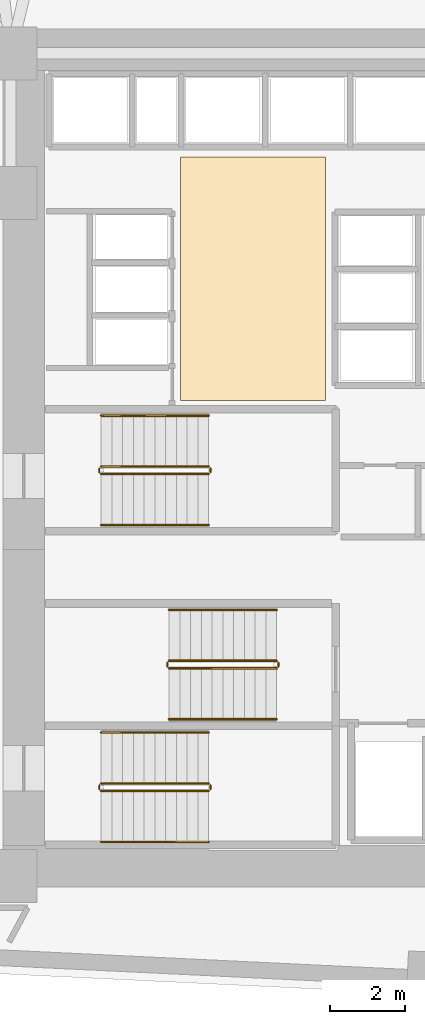
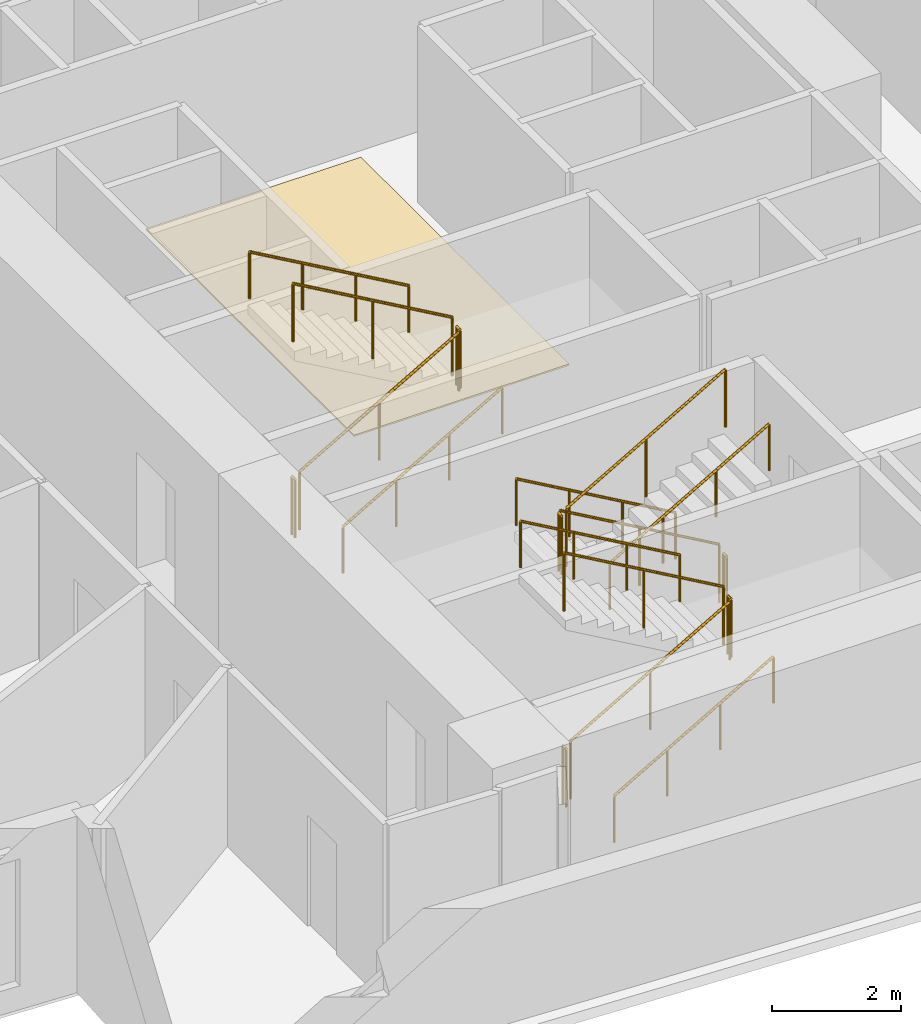
# One storey, part 17 of 18: 18 railings, 1 covering.
"""IFC4 building model written with IfcOpenShell, lengths in metres."""

from ifc_helpers import new_model, si_unit, direction, frame, origin, origin_2d, place, context, subcontext, project, spatial, polyline, circle, outline, extrude, material, layer, layer_set, type_object, element, save


model = new_model("IFC4")

# Units and contexts
model_context = context("Model", 3, precision=1e-05, world=origin(), true_north=direction((0.0, 1.0)))
body_context = subcontext(model_context, "Body", "Model", "MODEL_VIEW")
ifc_project = project(units=[si_unit("LENGTHUNIT", "METRE"), si_unit("AREAUNIT", "SQUARE_METRE"), si_unit("VOLUMEUNIT", "CUBIC_METRE"), si_unit("PLANEANGLEUNIT", "RADIAN"), si_unit("MASSUNIT", "GRAM", prefix="KILO")], contexts=[model_context])

# Site, building, storey
site_placement = place(None, origin())
site = spatial("IfcSite", under=ifc_project, at=site_placement, CompositionType="ELEMENT")
building_placement = place(site_placement, origin())
building = spatial("IfcBuilding", under=site, at=building_placement, Name="Narakoshi Arena Tower", CompositionType="ELEMENT")
storey_placement = place(building_placement, frame((0.0, 0.0, 44.699951171875)))
storey = spatial("IfcBuildingStorey", under=building, at=storey_placement, Name="L11", CompositionType="ELEMENT", Elevation=44.699951171875)

# Covering
ifc_material_1 = material(Name="Honed granite stone paving", Category="masonry")
ifc_layer = layer(ifc_material_1, 0.030029296875)
ifc_layer_set = layer_set([ifc_layer], Name="Honed granite stone paving")
covering_type = type_object("IfcCoveringType", Name="COV-FLR-ST30", PredefinedType="FLOORING", material=ifc_layer_set)
covering_placement = place(storey_placement, origin())
element("IfcCovering", 1, at=covering_placement, inside=storey, type_object=covering_type, Name="L11 Lift Lobby Granite Flooring", PredefinedType="FLOORING", context=body_context, shape_type="SweptSolid", body=[
    extrude(outline(polyline([(76.5, 47.300048828125), (80.35009765625, 47.300048828125), (80.35009765625, 53.75), (76.5, 53.75), (76.5, 47.300048828125)])), origin(), (0.0, 0.0, 1.0), 0.030029296875),
])

# Railings
ifc_material_2 = material(Name="Clear low-iron laminated structural glass", Category="glass")
railing_type_1 = type_object("IfcRailingType", Name="RL-BAL-1100", PredefinedType="BALUSTRADE", material=ifc_material_2)
railing_1_placement = place(storey_placement, frame((74.39990234375, 36.949951171875, 0.16357421875)))
element("IfcRailing", 2, at=railing_1_placement, inside=storey, type_object=railing_type_1, Name="L11 ST1 stair guard 1", PredefinedType="BALUSTRADE", context=body_context, shape_type="SweptSolid", body=[
    extrude(circle(Radius=0.02392578125, at=origin_2d()), frame((0.0, 0.0, 1.09619140625), z_axis=(0.86721270334, 0.0, 0.497937874806), x_axis=(0.0, 1.0, 0.0)), (0.0, 0.0, 1.0), 3.28662109375),
    extrude(circle(Radius=0.02099609375, at=origin_2d()), origin(), (0.0, 0.0, 1.0), 1.072021484375),
    extrude(circle(Radius=0.02099609375, at=origin_2d()), frame((1.425048828125, 0.0, 0.818359375)), (0.0, 0.0, 1.0), 1.072021484375),
    extrude(circle(Radius=0.02099609375, at=origin_2d()), frame((2.85009765625, 0.0, 1.636474609375)), (0.0, 0.0, 1.0), 1.072021484375),
])
railing_2_placement = place(storey_placement, frame((77.300048828125, 37.0, 1.800048828125)))
element("IfcRailing", 3, at=railing_2_placement, inside=storey, type_object=railing_type_1, Name="L11 ST1 stair guard 2", PredefinedType="BALUSTRADE", context=body_context, shape_type="SweptSolid", body=[
    extrude(circle(Radius=0.02392578125, at=origin_2d()), frame((0.0, 0.0, 1.09619140625), z_axis=(0.0, 1.0, 0.0), x_axis=(-1.0, 0.0, 0.0)), (0.0, 0.0, 1.0), 0.10009765625),
    extrude(circle(Radius=0.02099609375, at=origin_2d()), origin(), (0.0, 0.0, 1.0), 1.072021484375),
    extrude(circle(Radius=0.02099609375, at=origin_2d()), frame((0.0, 0.10009765625, 0.0)), (0.0, 0.0, 1.0), 1.072021484375),
])
railing_3_placement = place(storey_placement, frame((77.25, 37.14990234375, 1.963623046875)))
element("IfcRailing", 4, at=railing_3_placement, inside=storey, type_object=railing_type_1, Name="L11 ST1 stair guard 3", PredefinedType="BALUSTRADE", context=body_context, shape_type="SweptSolid", body=[
    extrude(circle(Radius=0.02392578125, at=origin_2d()), frame((0.0, 0.0, 1.09619140625), z_axis=(-0.86721270334, 0.0, 0.497937874806), x_axis=(0.0, -1.0, 0.0)), (0.0, 0.0, 1.0), 3.28662109375),
    extrude(circle(Radius=0.02099609375, at=origin_2d()), origin(), (0.0, 0.0, 1.0), 1.072021484375),
    extrude(circle(Radius=0.02099609375, at=origin_2d()), frame((-1.425048828125, 0.0, 0.818359375)), (0.0, 0.0, 1.0), 1.072021484375),
    extrude(circle(Radius=0.02099609375, at=origin_2d()), frame((-2.85009765625, 0.0, 1.636474609375)), (0.0, 0.0, 1.0), 1.072021484375),
])
railing_4_placement = place(storey_placement, frame((74.35009765625, 37.0, 0.0)))
element("IfcRailing", 5, at=railing_4_placement, inside=storey, type_object=railing_type_1, Name="L11 ST1 stair guard 4", PredefinedType="BALUSTRADE", context=body_context, shape_type="SweptSolid", body=[
    extrude(circle(Radius=0.02392578125, at=origin_2d()), frame((0.0, 0.0, 1.09619140625), z_axis=(0.0, 1.0, 0.0), x_axis=(-1.0, 0.0, 0.0)), (0.0, 0.0, 1.0), 0.10009765625),
    extrude(circle(Radius=0.02099609375, at=origin_2d()), origin(), (0.0, 0.0, 1.0), 1.072021484375),
    extrude(circle(Radius=0.02099609375, at=origin_2d()), frame((0.0, 0.10009765625, 0.0)), (0.0, 0.0, 1.0), 1.072021484375),
])
railing_5_placement = place(storey_placement, frame((79.050048828125, 40.39990234375, 0.16357421875)))
element("IfcRailing", 6, at=railing_5_placement, inside=storey, type_object=railing_type_1, Name="L11 ST2 stair guard 1", PredefinedType="BALUSTRADE", context=body_context, shape_type="SweptSolid", body=[
    extrude(circle(Radius=0.02392578125, at=origin_2d()), frame((0.0, 0.0, 1.09619140625), z_axis=(-0.86721270334, 0.0, 0.497937874806), x_axis=(0.0, -1.0, 0.0)), (0.0, 0.0, 1.0), 3.28662109375),
    extrude(circle(Radius=0.02099609375, at=origin_2d()), origin(), (0.0, 0.0, 1.0), 1.072021484375),
    extrude(circle(Radius=0.02099609375, at=origin_2d()), frame((-1.425048828125, 0.0, 0.818359375)), (0.0, 0.0, 1.0), 1.072021484375),
    extrude(circle(Radius=0.02099609375, at=origin_2d()), frame((-2.85009765625, 0.0, 1.636474609375)), (0.0, 0.0, 1.0), 1.072021484375),
])
railing_6_placement = place(storey_placement, frame((76.14990234375, 40.35009765625, 1.800048828125)))
element("IfcRailing", 7, at=railing_6_placement, inside=storey, type_object=railing_type_1, Name="L11 ST2 stair guard 2", PredefinedType="BALUSTRADE", context=body_context, shape_type="SweptSolid", body=[
    extrude(circle(Radius=0.02392578125, at=origin_2d()), frame((0.0, 0.0, 1.09619140625), z_axis=(0.0, -1.0, 0.0), x_axis=(1.0, 0.0, 0.0)), (0.0, 0.0, 1.0), 0.10009765625),
    extrude(circle(Radius=0.02099609375, at=origin_2d()), origin(), (0.0, 0.0, 1.0), 1.072021484375),
    extrude(circle(Radius=0.02099609375, at=origin_2d()), frame((0.0, -0.10009765625, 0.0)), (0.0, 0.0, 1.0), 1.072021484375),
])
railing_7_placement = place(storey_placement, frame((76.199951171875, 40.199951171875, 1.963623046875)))
element("IfcRailing", 8, at=railing_7_placement, inside=storey, type_object=railing_type_1, Name="L11 ST2 stair guard 3", PredefinedType="BALUSTRADE", context=body_context, shape_type="SweptSolid", body=[
    extrude(circle(Radius=0.02392578125, at=origin_2d()), frame((0.0, 0.0, 1.09619140625), z_axis=(0.86721270334, 0.0, 0.497937874806), x_axis=(0.0, 1.0, 0.0)), (0.0, 0.0, 1.0), 3.28662109375),
    extrude(circle(Radius=0.02099609375, at=origin_2d()), origin(), (0.0, 0.0, 1.0), 1.072021484375),
    extrude(circle(Radius=0.02099609375, at=origin_2d()), frame((1.425048828125, 0.0, 0.818359375)), (0.0, 0.0, 1.0), 1.072021484375),
    extrude(circle(Radius=0.02099609375, at=origin_2d()), frame((2.85009765625, 0.0, 1.636474609375)), (0.0, 0.0, 1.0), 1.072021484375),
])
railing_8_placement = place(storey_placement, frame((79.10009765625, 40.35009765625, 0.0)))
element("IfcRailing", 9, at=railing_8_placement, inside=storey, type_object=railing_type_1, Name="L11 ST2 stair guard 4", PredefinedType="BALUSTRADE", context=body_context, shape_type="SweptSolid", body=[
    extrude(circle(Radius=0.02392578125, at=origin_2d()), frame((0.0, 0.0, 1.09619140625), z_axis=(0.0, -1.0, 0.0), x_axis=(1.0, 0.0, 0.0)), (0.0, 0.0, 1.0), 0.10009765625),
    extrude(circle(Radius=0.02099609375, at=origin_2d()), origin(), (0.0, 0.0, 1.0), 1.072021484375),
    extrude(circle(Radius=0.02099609375, at=origin_2d()), frame((0.0, -0.10009765625, 0.0)), (0.0, 0.0, 1.0), 1.072021484375),
])
railing_9_placement = place(storey_placement, frame((74.39990234375, 45.35009765625, 0.16357421875)))
element("IfcRailing", 10, at=railing_9_placement, inside=storey, type_object=railing_type_1, Name="L11 ST3 stair guard 1", PredefinedType="BALUSTRADE", context=body_context, shape_type="SweptSolid", body=[
    extrude(circle(Radius=0.02392578125, at=origin_2d()), frame((0.0, 0.0, 1.09619140625), z_axis=(0.86721270334, 0.0, 0.497937874806), x_axis=(0.0, 1.0, 0.0)), (0.0, 0.0, 1.0), 3.28662109375),
    extrude(circle(Radius=0.02099609375, at=origin_2d()), origin(), (0.0, 0.0, 1.0), 1.072021484375),
    extrude(circle(Radius=0.02099609375, at=origin_2d()), frame((1.425048828125, 0.0, 0.818359375)), (0.0, 0.0, 1.0), 1.072021484375),
    extrude(circle(Radius=0.02099609375, at=origin_2d()), frame((2.85009765625, 0.0, 1.636474609375)), (0.0, 0.0, 1.0), 1.072021484375),
])
railing_10_placement = place(storey_placement, frame((77.300048828125, 45.39990234375, 1.800048828125)))
element("IfcRailing", 11, at=railing_10_placement, inside=storey, type_object=railing_type_1, Name="L11 ST3 stair guard 2", PredefinedType="BALUSTRADE", context=body_context, shape_type="SweptSolid", body=[
    extrude(circle(Radius=0.02392578125, at=origin_2d()), frame((0.0, 0.0, 1.09619140625), z_axis=(0.0, 1.0, 0.0), x_axis=(-1.0, 0.0, 0.0)), (0.0, 0.0, 1.0), 0.10009765625),
    extrude(circle(Radius=0.02099609375, at=origin_2d()), origin(), (0.0, 0.0, 1.0), 1.072021484375),
    extrude(circle(Radius=0.02099609375, at=origin_2d()), frame((0.0, 0.10009765625, 0.0)), (0.0, 0.0, 1.0), 1.072021484375),
])
railing_11_placement = place(storey_placement, frame((77.25, 45.550048828125, 1.963623046875)))
element("IfcRailing", 12, at=railing_11_placement, inside=storey, type_object=railing_type_1, Name="L11 ST3 stair guard 3", PredefinedType="BALUSTRADE", context=body_context, shape_type="SweptSolid", body=[
    extrude(circle(Radius=0.02392578125, at=origin_2d()), frame((0.0, 0.0, 1.09619140625), z_axis=(-0.86721270334, 0.0, 0.497937874806), x_axis=(0.0, -1.0, 0.0)), (0.0, 0.0, 1.0), 3.28662109375),
    extrude(circle(Radius=0.02099609375, at=origin_2d()), origin(), (0.0, 0.0, 1.0), 1.072021484375),
    extrude(circle(Radius=0.02099609375, at=origin_2d()), frame((-1.425048828125, 0.0, 0.818359375)), (0.0, 0.0, 1.0), 1.072021484375),
    extrude(circle(Radius=0.02099609375, at=origin_2d()), frame((-2.85009765625, 0.0, 1.636474609375)), (0.0, 0.0, 1.0), 1.072021484375),
])
railing_12_placement = place(storey_placement, frame((74.35009765625, 45.39990234375, 0.0)))
element("IfcRailing", 13, at=railing_12_placement, inside=storey, type_object=railing_type_1, Name="L11 ST3 stair guard 4", PredefinedType="BALUSTRADE", context=body_context, shape_type="SweptSolid", body=[
    extrude(circle(Radius=0.02392578125, at=origin_2d()), frame((0.0, 0.0, 1.09619140625), z_axis=(0.0, 1.0, 0.0), x_axis=(-1.0, 0.0, 0.0)), (0.0, 0.0, 1.0), 0.10009765625),
    extrude(circle(Radius=0.02099609375, at=origin_2d()), origin(), (0.0, 0.0, 1.0), 1.072021484375),
    extrude(circle(Radius=0.02099609375, at=origin_2d()), frame((0.0, 0.10009765625, 0.0)), (0.0, 0.0, 1.0), 1.072021484375),
])
ifc_material_3 = material(Name="Brushed bronze stainless steel", Category="steel")
railing_type_2 = type_object("IfcRailingType", Name="RL-HND-900", PredefinedType="HANDRAIL", material=ifc_material_3)
railing_13_placement = place(storey_placement, frame((74.39990234375, 35.60009765625, 0.16357421875)))
element("IfcRailing", 14, at=railing_13_placement, inside=storey, type_object=railing_type_2, Name="L11 ST1 stair handrail 1", PredefinedType="HANDRAIL", context=body_context, shape_type="SweptSolid", body=[
    extrude(circle(Radius=0.02392578125, at=origin_2d()), frame((0.0, 0.0, 0.8759765625), z_axis=(0.86721270334, 0.0, 0.497937874806), x_axis=(0.0, 1.0, 0.0)), (0.0, 0.0, 1.0), 3.28662109375),
    extrude(circle(Radius=0.02099609375, at=origin_2d()), origin(), (0.0, 0.0, 1.0), 0.851806640625),
    extrude(circle(Radius=0.02099609375, at=origin_2d()), frame((0.949951171875, 0.0, 0.54541015625)), (0.0, 0.0, 1.0), 0.851806640625),
    extrude(circle(Radius=0.02099609375, at=origin_2d()), frame((1.900146484375, 0.0, 1.091064453125)), (0.0, 0.0, 1.0), 0.851806640625),
    extrude(circle(Radius=0.02099609375, at=origin_2d()), frame((2.85009765625, 0.0, 1.636474609375)), (0.0, 0.0, 1.0), 0.851806640625),
])
for number, where, name in (
    (15, (77.25, 38.5, 1.963623046875), "L11 ST1 stair handrail 2"),
    (16, (79.050048828125, 41.75, 0.16357421875), "L11 ST2 stair handrail 1"),
):
    element("IfcRailing", number, at=place(storey_placement, frame(where)), inside=storey, type_object=railing_type_2, Name=name, PredefinedType="HANDRAIL", context=body_context, shape_type="SweptSolid", body=[
        extrude(circle(Radius=0.02392578125, at=origin_2d()), frame((0.0, 0.0, 0.8759765625), z_axis=(-0.86721270334, 0.0, 0.497937874806), x_axis=(0.0, -1.0, 0.0)), (0.0, 0.0, 1.0), 3.28662109375),
        extrude(circle(Radius=0.02099609375, at=origin_2d()), origin(), (0.0, 0.0, 1.0), 0.851806640625),
        extrude(circle(Radius=0.02099609375, at=origin_2d()), frame((-0.949951171875, 0.0, 0.54541015625)), (0.0, 0.0, 1.0), 0.851806640625),
        extrude(circle(Radius=0.02099609375, at=origin_2d()), frame((-1.900146484375, 0.0, 1.091064453125)), (0.0, 0.0, 1.0), 0.851806640625),
        extrude(circle(Radius=0.02099609375, at=origin_2d()), frame((-2.85009765625, 0.0, 1.636474609375)), (0.0, 0.0, 1.0), 0.851806640625),
    ])
for number, where, name in (
    (17, (76.199951171875, 38.85009765625, 1.963623046875), "L11 ST2 stair handrail 2"),
    (18, (74.39990234375, 44.0, 0.16357421875), "L11 ST3 stair handrail 1"),
):
    element("IfcRailing", number, at=place(storey_placement, frame(where)), inside=storey, type_object=railing_type_2, Name=name, PredefinedType="HANDRAIL", context=body_context, shape_type="SweptSolid", body=[
        extrude(circle(Radius=0.02392578125, at=origin_2d()), frame((0.0, 0.0, 0.8759765625), z_axis=(0.86721270334, 0.0, 0.497937874806), x_axis=(0.0, 1.0, 0.0)), (0.0, 0.0, 1.0), 3.28662109375),
        extrude(circle(Radius=0.02099609375, at=origin_2d()), origin(), (0.0, 0.0, 1.0), 0.851806640625),
        extrude(circle(Radius=0.02099609375, at=origin_2d()), frame((0.949951171875, 0.0, 0.54541015625)), (0.0, 0.0, 1.0), 0.851806640625),
        extrude(circle(Radius=0.02099609375, at=origin_2d()), frame((1.900146484375, 0.0, 1.091064453125)), (0.0, 0.0, 1.0), 0.851806640625),
        extrude(circle(Radius=0.02099609375, at=origin_2d()), frame((2.85009765625, 0.0, 1.636474609375)), (0.0, 0.0, 1.0), 0.851806640625),
    ])
railing_14_placement = place(storey_placement, frame((77.25, 46.89990234375, 1.963623046875)))
element("IfcRailing", 19, at=railing_14_placement, inside=storey, type_object=railing_type_2, Name="L11 ST3 stair handrail 2", PredefinedType="HANDRAIL", context=body_context, shape_type="SweptSolid", body=[
    extrude(circle(Radius=0.02392578125, at=origin_2d()), frame((0.0, 0.0, 0.8759765625), z_axis=(-0.86721270334, 0.0, 0.497937874806), x_axis=(0.0, -1.0, 0.0)), (0.0, 0.0, 1.0), 3.28662109375),
    extrude(circle(Radius=0.02099609375, at=origin_2d()), origin(), (0.0, 0.0, 1.0), 0.851806640625),
    extrude(circle(Radius=0.02099609375, at=origin_2d()), frame((-0.949951171875, 0.0, 0.54541015625)), (0.0, 0.0, 1.0), 0.851806640625),
    extrude(circle(Radius=0.02099609375, at=origin_2d()), frame((-1.900146484375, 0.0, 1.091064453125)), (0.0, 0.0, 1.0), 0.851806640625),
    extrude(circle(Radius=0.02099609375, at=origin_2d()), frame((-2.85009765625, 0.0, 1.636474609375)), (0.0, 0.0, 1.0), 0.851806640625),
])

save(model, "model.ifc")
